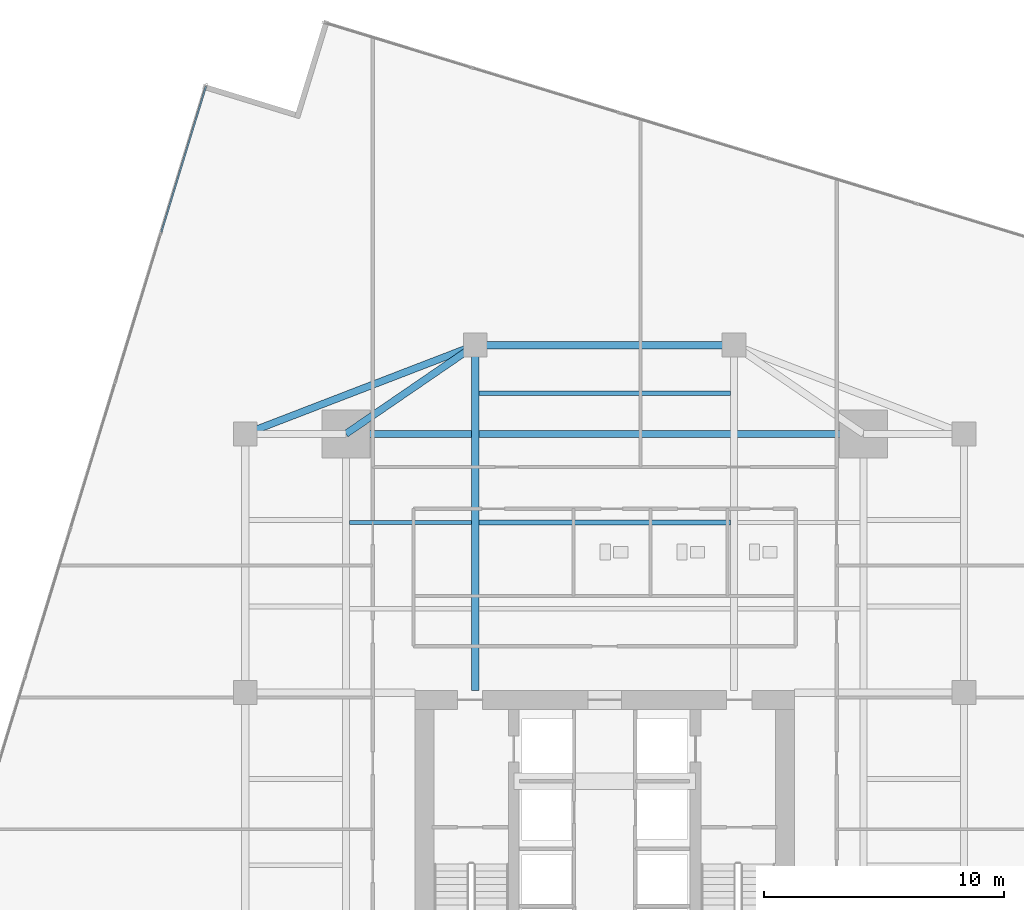
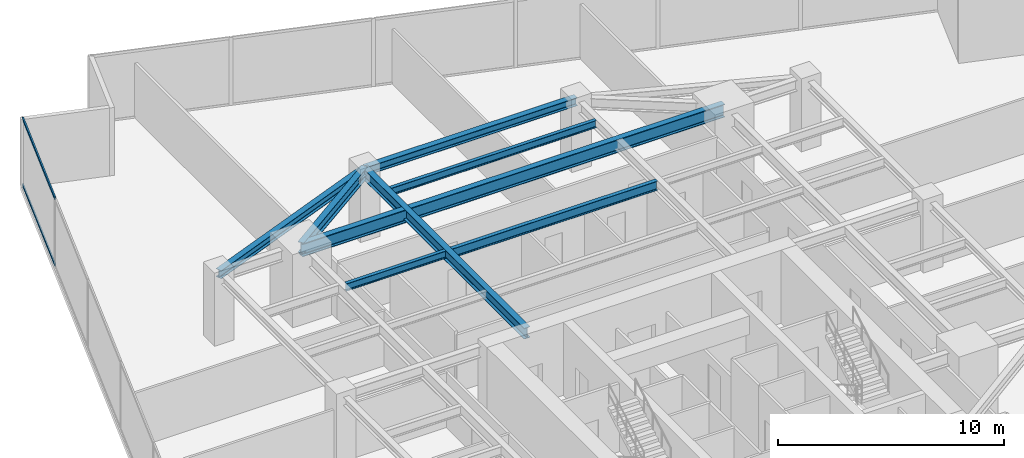
# One storey, part 15 of 26: 8 beams, 2 members, 1 element without a shape of its own.
"""IFC4 building model written with IfcOpenShell, lengths in metres."""

from ifc_helpers import new_model, si_unit, direction, frame, origin, origin_2d, place, context, subcontext, project, spatial, hollow_rectangle, i_section, extrude, source, transform, mapped, material, material_profile, profile_set, type_object, type_shapes, element, aggregate, save


model = new_model("IFC4")

# Units and contexts
model_context = context("Model", 3, precision=1e-05, world=origin(), true_north=direction((0.0, 1.0)))
body_context = subcontext(model_context, "Body", "Model", "MODEL_VIEW")
ifc_project = project(units=[si_unit("LENGTHUNIT", "METRE"), si_unit("AREAUNIT", "SQUARE_METRE"), si_unit("VOLUMEUNIT", "CUBIC_METRE"), si_unit("PLANEANGLEUNIT", "RADIAN"), si_unit("MASSUNIT", "GRAM", prefix="KILO")], contexts=[model_context])

# Site, building, storey
site_placement = place(None, origin())
site = spatial("IfcSite", under=ifc_project, at=site_placement, CompositionType="ELEMENT")
building_placement = place(site_placement, origin())
building = spatial("IfcBuilding", under=site, at=building_placement, Name="Krantzveldt Concourse Tower", CompositionType="ELEMENT")
storey_placement = place(building_placement, frame((0.0, 0.0, 113.75)))
storey = spatial("IfcBuildingStorey", under=building, at=storey_placement, Name="L27", CompositionType="ELEMENT", Elevation=113.75)

# Beams
ifc_material_1 = material(Name="Steel S355J2", Category="steel")
ifc_material_profile_1 = material_profile(ifc_material_1, i_section(OverallWidth=0.300048828125, OverallDepth=0.699951171875, WebThickness=0.01708984375, FlangeThickness=0.031982421875, FilletRadius=0.027099609375, at=origin_2d()), Name="Steel S355J2", Category="steel")
ifc_profile_set_1 = profile_set([ifc_material_profile_1], Name="Steel S355J2 - HEB 700")
beam_type_1 = type_object("IfcBeamType", Name="BM-B-HEB700", PredefinedType="BEAM", material=ifc_profile_set_1)
shared_shape_1 = source(origin(), body_context, "Body", "SweptSolid", [
    extrude(i_section(OverallWidth=0.300048828125, OverallDepth=0.699951171875, WebThickness=0.01708984375, FlangeThickness=0.031982421875, FilletRadius=0.027099609375, at=origin_2d()), origin(), (0.0, 0.0, 1.0), 21.60009765625),
])
type_shapes(beam_type_1, [shared_shape_1])
beam_1_placement = place(storey_placement, frame((25.199951171875, 37.5, 3.320068359375), z_axis=(1.0, 0.0, 0.0), x_axis=(0.0, 1.0, 0.0)))
element("IfcBeam", 1, at=beam_1_placement, inside=storey, type_object=beam_type_1, Name="L27 Tower Girder BG-MN", PredefinedType="BEAM", context=body_context, shape_type="MappedRepresentation", body=[
    mapped(shared_shape_1, transform((0.0, 0.0, 0.0), x_axis=(1.0, 0.0, 0.0), y_axis=(0.0, 1.0, 0.0), z_axis=(0.0, 0.0, 1.0), scale=1.0)),
])
ifc_material_2 = material(Name="Steel S355JR", Category="steel")
ifc_material_profile_2 = material_profile(ifc_material_2, i_section(OverallWidth=0.300048828125, OverallDepth=0.590087890625, WebThickness=0.012939453125, FlangeThickness=0.02490234375, FilletRadius=0.027099609375, at=origin_2d()), Name="Steel S355JR", Category="steel")
ifc_profile_set_2 = profile_set([ifc_material_profile_2], Name="Steel S355JR - HEA 600")
beam_type_2 = type_object("IfcBeamType", Name="BM-B-HEA600", PredefinedType="BEAM", material=ifc_profile_set_2)
shared_shape_2 = source(origin(), body_context, "Body", "SweptSolid", [
    extrude(i_section(OverallWidth=0.300048828125, OverallDepth=0.590087890625, WebThickness=0.012939453125, FlangeThickness=0.02490234375, FilletRadius=0.027099609375, at=origin_2d()), origin(), (0.0, 0.0, 1.0), 14.39990234375),
])
beam_2_placement = place(storey_placement, frame((30.60009765625, 26.800048828125, 3.375), z_axis=(0.0, 1.0, 0.0), x_axis=(-1.0, 0.0, 0.0)))
element("IfcBeam", 2, at=beam_2_placement, inside=storey, type_object=beam_type_2, Name="L27 Tower Girder BG-CNW", PredefinedType="BEAM", context=body_context, shape_type="MappedRepresentation", body=[
    mapped(shared_shape_2, transform((0.0, 0.0, 0.0), x_axis=(1.0, 0.0, 0.0), y_axis=(0.0, 1.0, 0.0), z_axis=(0.0, 0.0, 1.0), scale=1.0)),
])
ifc_material_profile_3 = material_profile(ifc_material_2, i_section(OverallWidth=0.300048828125, OverallDepth=0.43994140625, WebThickness=0.011474609375, FlangeThickness=0.02099609375, FilletRadius=0.027099609375, at=origin_2d()), Name="Steel S355JR", Category="steel")
ifc_profile_set_3 = profile_set([ifc_material_profile_3], Name="Steel S355JR - HEA 450")
beam_type_3 = type_object("IfcBeamType", Name="BM-SP-HEA450", PredefinedType="SPANDREL", material=ifc_profile_set_3)
shared_shape_3 = source(origin(), body_context, "Body", "SweptSolid", [
    extrude(i_section(OverallWidth=0.300048828125, OverallDepth=0.43994140625, WebThickness=0.011474609375, FlangeThickness=0.02099609375, FilletRadius=0.027099609375, at=origin_2d()), origin(), (0.0, 0.0, 1.0), 10.288330078125),
])
beam_3_placement = place(storey_placement, frame((21.0, 37.5, 3.449951171875), z_axis=(0.933097690408, 0.359622997257, 0.0), x_axis=(-0.359622997257, 0.933097690408, 0.0)))
element("IfcBeam", 3, at=beam_3_placement, inside=storey, type_object=beam_type_3, Name="L27 Tower Girder SP-R03", PredefinedType="SPANDREL", context=body_context, shape_type="MappedRepresentation", body=[
    mapped(shared_shape_3, transform((0.0, 0.0, 0.0), x_axis=(1.0, 0.0, 0.0), y_axis=(0.0, 1.0, 0.0), z_axis=(0.0, 0.0, 1.0), scale=1.0)),
])
shared_shape_4 = source(origin(), body_context, "Body", "SweptSolid", [
    extrude(i_section(OverallWidth=0.300048828125, OverallDepth=0.43994140625, WebThickness=0.011474609375, FlangeThickness=0.02099609375, FilletRadius=0.027099609375, at=origin_2d()), origin(), (0.0, 0.0, 1.0), 10.7998046875),
])
type_shapes(beam_type_3, [shared_shape_3, shared_shape_4])
beam_4_placement = place(storey_placement, frame((30.60009765625, 41.199951171875, 3.449951171875), z_axis=(1.0, 0.0, 0.0), x_axis=(0.0, 1.0, 0.0)))
element("IfcBeam", 4, at=beam_4_placement, inside=storey, type_object=beam_type_3, Name="L27 Tower Girder SP-R04", PredefinedType="SPANDREL", context=body_context, shape_type="MappedRepresentation", body=[
    mapped(shared_shape_4, transform((0.0, 0.0, 0.0), x_axis=(1.0, 0.0, 0.0), y_axis=(0.0, 1.0, 0.0), z_axis=(0.0, 0.0, 1.0), scale=1.0)),
])
shared_shape_5 = source(origin(), body_context, "Body", "SweptSolid", [
    extrude(i_section(OverallWidth=0.300048828125, OverallDepth=0.590087890625, WebThickness=0.012939453125, FlangeThickness=0.02490234375, FilletRadius=0.027099609375, at=origin_2d()), origin(), (0.0, 0.0, 1.0), 6.546142578125),
])
type_shapes(beam_type_2, [shared_shape_2, shared_shape_5])
beam_5_placement = place(storey_placement, frame((25.199951171875, 37.5, 3.375), z_axis=(0.824942999484, 0.565215930068, 0.0), x_axis=(-0.565215930068, 0.824942999484, 0.0)))
element("IfcBeam", 5, at=beam_5_placement, inside=storey, type_object=beam_type_2, Name="L27 Tower Girder BR-RL4", PredefinedType="BEAM", context=body_context, shape_type="MappedRepresentation", body=[
    mapped(shared_shape_5, transform((0.0, 0.0, 0.0), x_axis=(1.0, 0.0, 0.0), y_axis=(0.0, 1.0, 0.0), z_axis=(0.0, 0.0, 1.0), scale=1.0)),
])
ifc_material_profile_4 = material_profile(ifc_material_2, i_section(OverallWidth=0.199951171875, OverallDepth=0.5, WebThickness=0.01025390625, FlangeThickness=0.01611328125, FilletRadius=0.02099609375, at=origin_2d()), Name="Steel S355JR", Category="steel")
ifc_profile_set_4 = profile_set([ifc_material_profile_4], Name="Steel S355JR - IPE 500")
beam_type_4 = type_object("IfcBeamType", Name="BM-J-IPE500", PredefinedType="JOIST", material=ifc_profile_set_4)
shared_shape_6 = source(origin(), body_context, "Body", "SweptSolid", [
    extrude(i_section(OverallWidth=0.199951171875, OverallDepth=0.5, WebThickness=0.01025390625, FlangeThickness=0.01611328125, FilletRadius=0.02099609375, at=origin_2d()), origin(), (0.0, 0.0, 1.0), 10.5),
])
type_shapes(beam_type_4, [shared_shape_6])
beam_6_placement = place(storey_placement, frame((30.75, 33.800048828125, 3.419921875), z_axis=(1.0, 0.0, 0.0), x_axis=(0.0, 1.0, 0.0)))
element("IfcBeam", 6, at=beam_6_placement, inside=storey, type_object=beam_type_4, Name="L27 Secondary Floor Joist JN-C2", PredefinedType="JOIST", context=body_context, shape_type="MappedRepresentation", body=[
    mapped(shared_shape_6, transform((0.0, 0.0, 0.0), x_axis=(1.0, 0.0, 0.0), y_axis=(0.0, 1.0, 0.0), z_axis=(0.0, 0.0, 1.0), scale=1.0)),
])
ifc_material_profile_5 = material_profile(ifc_material_2, i_section(OverallWidth=0.179931640625, OverallDepth=0.39990234375, WebThickness=0.008544921875, FlangeThickness=0.013427734375, FilletRadius=0.02099609375, at=origin_2d()), Name="Steel S355JR", Category="steel")
ifc_profile_set_5 = profile_set([ifc_material_profile_5], Name="Steel S355JR - IPE 400")
beam_type_5 = type_object("IfcBeamType", Name="BM-J-IPE400", PredefinedType="JOIST", material=ifc_profile_set_5)
shared_shape_7 = source(origin(), body_context, "Body", "SweptSolid", [
    extrude(i_section(OverallWidth=0.179931640625, OverallDepth=0.39990234375, WebThickness=0.008544921875, FlangeThickness=0.013427734375, FilletRadius=0.02099609375, at=origin_2d()), origin(), (0.0, 0.0, 1.0), 10.5),
])
beam_7_placement = place(storey_placement, frame((30.75, 39.199951171875, 3.469970703125), z_axis=(1.0, 0.0, 0.0), x_axis=(0.0, 1.0, 0.0)))
element("IfcBeam", 7, at=beam_7_placement, inside=storey, type_object=beam_type_5, Name="L27 Secondary Floor Joist JN-C3", PredefinedType="JOIST", context=body_context, shape_type="MappedRepresentation", body=[
    mapped(shared_shape_7, transform((0.0, 0.0, 0.0), x_axis=(1.0, 0.0, 0.0), y_axis=(0.0, 1.0, 0.0), z_axis=(0.0, 0.0, 1.0), scale=1.0)),
])
shared_shape_8 = source(origin(), body_context, "Body", "SweptSolid", [
    extrude(i_section(OverallWidth=0.179931640625, OverallDepth=0.39990234375, WebThickness=0.008544921875, FlangeThickness=0.013427734375, FilletRadius=0.02099609375, at=origin_2d()), origin(), (0.0, 0.0, 1.0), 5.099853515625),
])
type_shapes(beam_type_5, [shared_shape_7, shared_shape_8])
beam_8_placement = place(storey_placement, frame((25.35009765625, 33.800048828125, 3.469970703125), z_axis=(1.0, 0.0, 0.0), x_axis=(0.0, 1.0, 0.0)))
element("IfcBeam", 8, at=beam_8_placement, inside=storey, type_object=beam_type_5, Name="L27 Secondary Floor Joist JN-W2", PredefinedType="JOIST", context=body_context, shape_type="MappedRepresentation", body=[
    mapped(shared_shape_8, transform((0.0, 0.0, 0.0), x_axis=(1.0, 0.0, 0.0), y_axis=(0.0, 1.0, 0.0), z_axis=(0.0, 0.0, 1.0), scale=1.0)),
])

# Curtain wall, members
ifc_material_3 = material(Name="Anodised aluminium 6063-T6", Category="aluminium")
curtain_wall_type = type_object("IfcCurtainWallType", Name="CW2", PredefinedType="USERDEFINED", material=ifc_material_3)
curtain_wall_placement = place(storey_placement, origin())
curtain_wall = element("IfcCurtainWall", 9, at=curtain_wall_placement, inside=storey, type_object=curtain_wall_type, Name="CW-L27-F01", ObjectType="UNITISED CURTAIN WALL", PredefinedType="USERDEFINED")
ifc_material_profile_6 = material_profile(ifc_material_3, hollow_rectangle(XDim=0.070068359375, YDim=0.139892578125, WallThickness=0.0048828125, at=origin_2d()), Name="Anodised aluminium 6063-T6", Category="aluminium")
ifc_profile_set_6 = profile_set([ifc_material_profile_6], Name="Anodised aluminium 6063-T6 - ALU-TRAN 140x70x5")
member_type = type_object("IfcMemberType", Name="CW-TRN-150", PredefinedType="USERDEFINED", material=ifc_profile_set_6)
shared_shape_9 = source(origin(), body_context, "Body", "SweptSolid", [
    extrude(hollow_rectangle(XDim=0.070068359375, YDim=0.139892578125, WallThickness=0.0048828125, at=origin_2d()), origin(), (0.0, 0.0, 1.0), 6.36181640625),
])
type_shapes(member_type, [shared_shape_9])
member_1_placement = place(storey_placement, frame((19.360107421875, 52.00048828125, 0.034912109375), z_axis=(-0.292389152537, -0.956299421457, 0.0), x_axis=(0.956299421457, -0.292389152537, 0.0)))
member_1 = element("IfcMember", 10, at=member_1_placement, type_object=member_type, Name="CW-Z12 transom 1.1", ObjectType="TRANSOM", PredefinedType="USERDEFINED", context=body_context, shape_type="MappedRepresentation", body=[
    mapped(shared_shape_9, transform((0.0, 0.0, 0.0), x_axis=(1.0, 0.0, 0.0), y_axis=(0.0, 1.0, 0.0), z_axis=(0.0, 0.0, 1.0), scale=1.0)),
])
member_2_placement = place(storey_placement, frame((19.360107421875, 52.00048828125, 3.635009765625), z_axis=(-0.292389152537, -0.956299421457, 0.0), x_axis=(0.956299421457, -0.292389152537, 0.0)))
member_2 = element("IfcMember", 11, at=member_2_placement, type_object=member_type, Name="CW-Z12 transom 1.2", ObjectType="TRANSOM", PredefinedType="USERDEFINED", context=body_context, shape_type="MappedRepresentation", body=[
    mapped(shared_shape_9, transform((0.0, 0.0, 0.0), x_axis=(1.0, 0.0, 0.0), y_axis=(0.0, 1.0, 0.0), z_axis=(0.0, 0.0, 1.0), scale=1.0)),
])
aggregate(curtain_wall, [member_1, member_2])

save(model, "model.ifc")
